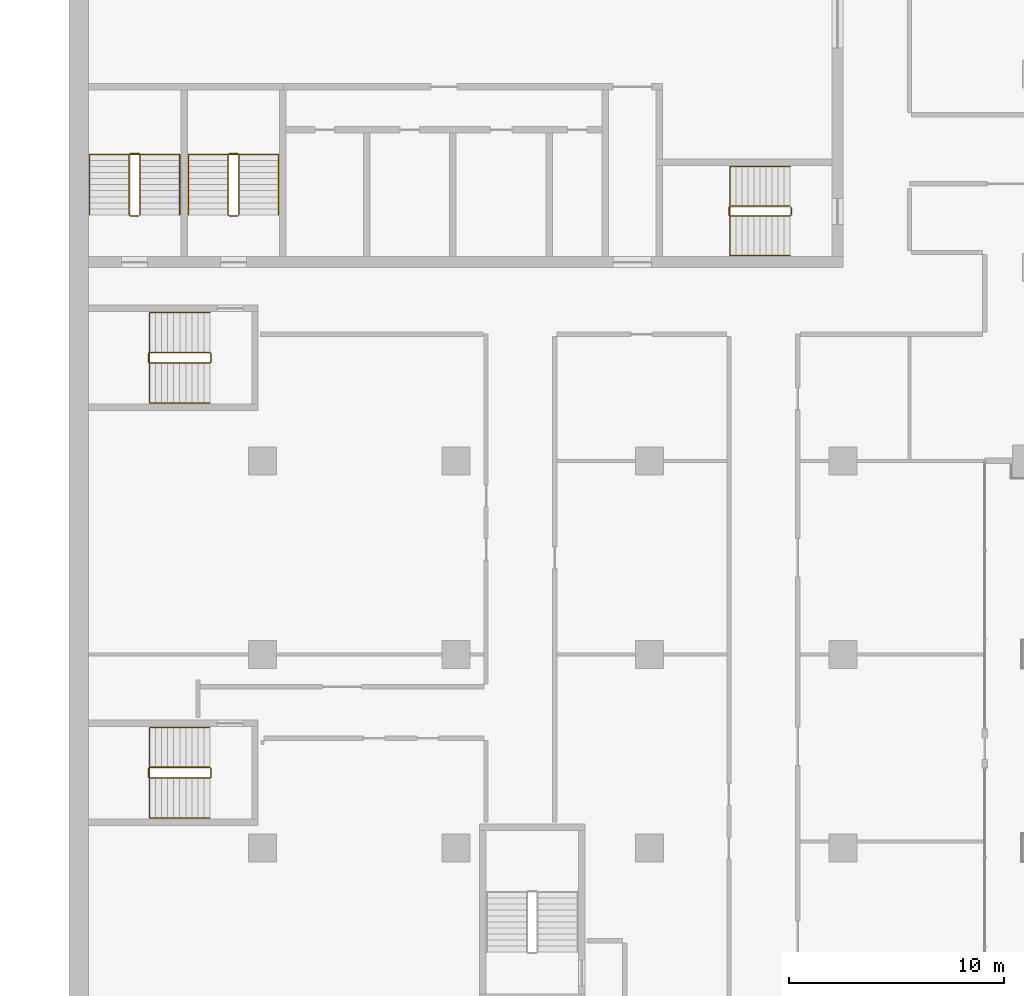
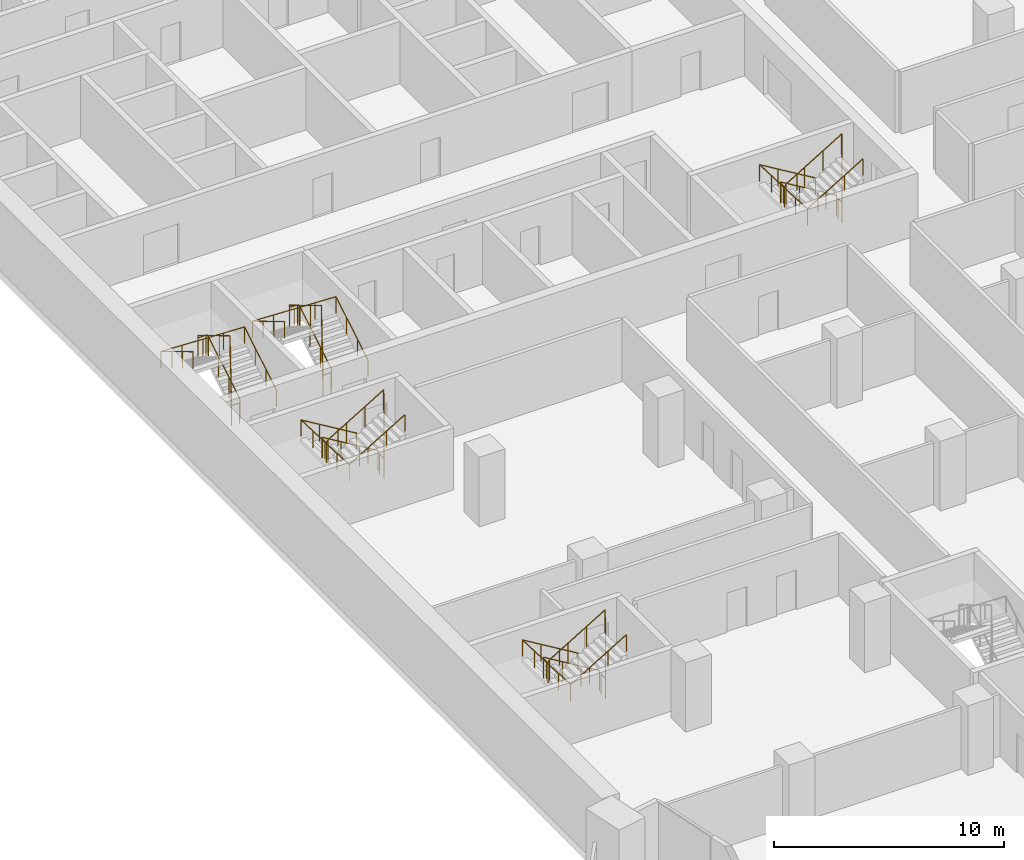
# One storey, part 20 of 22: 10 railings.
"""IFC4 building model written with IfcOpenShell, lengths in metres."""

from ifc_helpers import new_model, si_unit, direction, frame, origin, origin_2d, place, context, subcontext, project, spatial, circle, extrude, material, type_object, element, save


model = new_model("IFC4")

# Units and contexts
model_context = context("Model", 3, precision=1e-05, world=origin(), true_north=direction((0.0, 1.0)))
body_context = subcontext(model_context, "Body", "Model", "MODEL_VIEW")
ifc_project = project(units=[si_unit("LENGTHUNIT", "METRE"), si_unit("AREAUNIT", "SQUARE_METRE"), si_unit("VOLUMEUNIT", "CUBIC_METRE"), si_unit("PLANEANGLEUNIT", "RADIAN"), si_unit("MASSUNIT", "GRAM", prefix="KILO")], contexts=[model_context])

# Site, building, storey
site_placement = place(None, origin())
site = spatial("IfcSite", under=ifc_project, at=site_placement, CompositionType="ELEMENT")
building_placement = place(site_placement, origin())
building = spatial("IfcBuilding", under=site, at=building_placement, Name="Hunhe Ridgeline Campus", CompositionType="ELEMENT")
storey_placement = place(building_placement, frame((0.0, 0.0, 92.199951171875)))
storey = spatial("IfcBuildingStorey", under=building, at=storey_placement, Name="L22", CompositionType="ELEMENT", Elevation=92.199951171875)

# Railings
ifc_material_1 = material(Name="Stainless steel balustrade", Category="steel")
railing_type_1 = type_object("IfcRailingType", Name="Stair guard 1100 stainless", PredefinedType="GUARDRAIL", material=ifc_material_1)
railing_1_placement = place(storey_placement, frame((33.550048828125, 65.85009765625, 0.168212890625)))
element("IfcRailing", 1, at=railing_1_placement, inside=storey, type_object=railing_type_1, Name="L22 stair S2 guard", PredefinedType="GUARDRAIL", context=body_context, shape_type="SweptSolid", body=[
    extrude(circle(Radius=0.02392578125, at=origin_2d()), frame((0.0, 0.0, 1.076171875), z_axis=(-0.857242210791, 0.0, 0.514913383045), x_axis=(0.0, -1.0, 0.0)), (0.0, 0.0, 1.0), 3.266357421875),
    extrude(circle(Radius=0.02392578125, at=origin_2d()), frame((-2.800048828125, 0.0, 2.7578125), z_axis=(-0.707106781187, -0.707106781187, 0.0), x_axis=(0.707106781187, -0.707106781187, 0.0)), (0.0, 0.0, 1.0), 0.07080078125),
    extrude(circle(Radius=0.02392578125, at=origin_2d()), frame((-2.85009765625, -0.050048828125, 2.7578125), z_axis=(0.0, -1.0, 0.0), x_axis=(1.0, 0.0, 0.0)), (0.0, 0.0, 1.0), 0.35009765625),
    extrude(circle(Radius=0.02392578125, at=origin_2d()), frame((-2.85009765625, -0.400146484375, 2.7578125), z_axis=(0.274243871929, -0.274243871929, 0.92172696468), x_axis=(0.707106781187, 0.707106781187, 0.0)), (0.0, 0.0, 1.0), 0.1826171875),
    extrude(circle(Radius=0.02392578125, at=origin_2d()), frame((-2.800048828125, -0.4501953125, 2.92626953125), z_axis=(0.857275202839, 0.0, 0.514858452973), x_axis=(0.0, 1.0, 0.0)), (0.0, 0.0, 1.0), 3.26611328125),
    extrude(circle(Radius=0.02392578125, at=origin_2d()), frame((0.0, -0.4501953125, 4.60791015625), z_axis=(0.013524414389, 0.013524414389, -0.999817073484), x_axis=(-0.707106781187, 0.707106781187, 0.0)), (0.0, 0.0, 1.0), 3.70068359375),
    extrude(circle(Radius=0.02392578125, at=origin_2d()), frame((0.050048828125, -0.400146484375, 0.90771484375), z_axis=(0.0, 1.0, 0.0), x_axis=(-1.0, 0.0, 0.0)), (0.0, 0.0, 1.0), 0.35009765625),
    extrude(circle(Radius=0.02099609375, at=origin_2d()), origin(), (0.0, 0.0, 1.0), 1.052001953125),
    extrude(circle(Radius=0.02099609375, at=origin_2d()), frame((-0.933349609375, 0.0, 0.560546875)), (0.0, 0.0, 1.0), 1.052001953125),
    extrude(circle(Radius=0.02099609375, at=origin_2d()), frame((-1.86669921875, 0.0, 1.121337890625)), (0.0, 0.0, 1.0), 1.052001953125),
    extrude(circle(Radius=0.02099609375, at=origin_2d()), frame((-2.800048828125, 0.0, 1.681884765625)), (0.0, 0.0, 1.0), 1.052001953125),
    extrude(circle(Radius=0.02099609375, at=origin_2d()), frame((-2.85009765625, -0.050048828125, 1.681884765625)), (0.0, 0.0, 1.0), 1.052001953125),
    extrude(circle(Radius=0.02099609375, at=origin_2d()), frame((-2.85009765625, -0.400146484375, 1.681884765625)), (0.0, 0.0, 1.0), 1.052001953125),
    extrude(circle(Radius=0.02099609375, at=origin_2d()), frame((-2.800048828125, -0.4501953125, 1.85009765625)), (0.0, 0.0, 1.0), 1.052001953125),
    extrude(circle(Radius=0.02099609375, at=origin_2d()), frame((-1.86669921875, -0.4501953125, 2.41064453125)), (0.0, 0.0, 1.0), 1.052001953125),
    extrude(circle(Radius=0.02099609375, at=origin_2d()), frame((-0.933349609375, -0.4501953125, 2.97119140625)), (0.0, 0.0, 1.0), 1.052001953125),
    extrude(circle(Radius=0.02099609375, at=origin_2d()), frame((0.0, -0.4501953125, 3.53173828125)), (0.0, 0.0, 1.0), 1.052001953125),
    extrude(circle(Radius=0.02099609375, at=origin_2d()), frame((0.012451171875, -0.437744140625, 2.606689453125)), (0.0, 0.0, 1.0), 1.052001953125),
    extrude(circle(Radius=0.02099609375, at=origin_2d()), frame((0.02490234375, -0.42529296875, 1.681640625)), (0.0, 0.0, 1.0), 1.052001953125),
    extrude(circle(Radius=0.02099609375, at=origin_2d()), frame((0.03759765625, -0.41259765625, 0.7568359375)), (0.0, 0.0, 1.0), 1.052001953125),
    extrude(circle(Radius=0.02099609375, at=origin_2d()), frame((0.050048828125, -0.400146484375, -0.168212890625)), (0.0, 0.0, 1.0), 1.052001953125),
    extrude(circle(Radius=0.02099609375, at=origin_2d()), frame((0.050048828125, -0.050048828125, -0.168212890625)), (0.0, 0.0, 1.0), 1.052001953125),
])
railing_2_placement = place(storey_placement, frame((3.300048828125, 65.449951171875, 0.168212890625)))
element("IfcRailing", 2, at=railing_2_placement, inside=storey, type_object=railing_type_1, Name="L22 stair S3 guard", PredefinedType="GUARDRAIL", context=body_context, shape_type="SweptSolid", body=[
    extrude(circle(Radius=0.02392578125, at=origin_2d()), frame((0.0, 0.0, 1.076171875), z_axis=(0.0, 0.857242210791, 0.514913383045), x_axis=(-1.0, 0.0, 0.0)), (0.0, 0.0, 1.0), 3.266357421875),
    extrude(circle(Radius=0.02392578125, at=origin_2d()), frame((0.0, 2.800048828125, 2.7578125), z_axis=(-0.707106781187, 0.707106781187, 0.0), x_axis=(-0.707106781187, -0.707106781187, 0.0)), (0.0, 0.0, 1.0), 0.07080078125),
    extrude(circle(Radius=0.02392578125, at=origin_2d()), frame((-0.050048828125, 2.85009765625, 2.7578125), z_axis=(-1.0, 0.0, 0.0), x_axis=(0.0, -1.0, 0.0)), (0.0, 0.0, 1.0), 0.39990234375),
    extrude(circle(Radius=0.02392578125, at=origin_2d()), frame((-0.449951171875, 2.85009765625, 2.7578125), z_axis=(-0.274243871929, -0.274243871929, 0.92172696468), x_axis=(0.707106781187, -0.707106781187, 0.0)), (0.0, 0.0, 1.0), 0.1826171875),
    extrude(circle(Radius=0.02392578125, at=origin_2d()), frame((-0.5, 2.800048828125, 2.92626953125), z_axis=(0.0, -0.857275202839, 0.514858452973), x_axis=(1.0, 0.0, 0.0)), (0.0, 0.0, 1.0), 3.26611328125),
    extrude(circle(Radius=0.02392578125, at=origin_2d()), frame((-0.5, 0.0, 4.60791015625), z_axis=(0.013524414389, -0.013524414389, -0.999817073484), x_axis=(0.707106781187, 0.707106781187, 0.0)), (0.0, 0.0, 1.0), 3.70068359375),
    extrude(circle(Radius=0.02392578125, at=origin_2d()), frame((-0.449951171875, -0.050048828125, 0.90771484375), z_axis=(1.0, 0.0, 0.0), x_axis=(0.0, 1.0, 0.0)), (0.0, 0.0, 1.0), 0.39990234375),
    extrude(circle(Radius=0.02099609375, at=origin_2d()), origin(), (0.0, 0.0, 1.0), 1.052001953125),
    extrude(circle(Radius=0.02099609375, at=origin_2d()), frame((0.0, 0.933349609375, 0.560546875)), (0.0, 0.0, 1.0), 1.052001953125),
    extrude(circle(Radius=0.02099609375, at=origin_2d()), frame((0.0, 1.86669921875, 1.121337890625)), (0.0, 0.0, 1.0), 1.052001953125),
    extrude(circle(Radius=0.02099609375, at=origin_2d()), frame((0.0, 2.800048828125, 1.681884765625)), (0.0, 0.0, 1.0), 1.052001953125),
    extrude(circle(Radius=0.02099609375, at=origin_2d()), frame((-0.050048828125, 2.85009765625, 1.681884765625)), (0.0, 0.0, 1.0), 1.052001953125),
    extrude(circle(Radius=0.02099609375, at=origin_2d()), frame((-0.449951171875, 2.85009765625, 1.681884765625)), (0.0, 0.0, 1.0), 1.052001953125),
    extrude(circle(Radius=0.02099609375, at=origin_2d()), frame((-0.5, 2.800048828125, 1.85009765625)), (0.0, 0.0, 1.0), 1.052001953125),
    extrude(circle(Radius=0.02099609375, at=origin_2d()), frame((-0.5, 1.86669921875, 2.41064453125)), (0.0, 0.0, 1.0), 1.052001953125),
    extrude(circle(Radius=0.02099609375, at=origin_2d()), frame((-0.5, 0.933349609375, 2.97119140625)), (0.0, 0.0, 1.0), 1.052001953125),
    extrude(circle(Radius=0.02099609375, at=origin_2d()), frame((-0.5, 0.0, 3.53173828125)), (0.0, 0.0, 1.0), 1.052001953125),
    extrude(circle(Radius=0.02099609375, at=origin_2d()), frame((-0.487548828125, -0.012451171875, 2.606689453125)), (0.0, 0.0, 1.0), 1.052001953125),
    extrude(circle(Radius=0.02099609375, at=origin_2d()), frame((-0.47509765625, -0.02490234375, 1.681640625)), (0.0, 0.0, 1.0), 1.052001953125),
    extrude(circle(Radius=0.02099609375, at=origin_2d()), frame((-0.46240234375, -0.03759765625, 0.7568359375)), (0.0, 0.0, 1.0), 1.052001953125),
    extrude(circle(Radius=0.02099609375, at=origin_2d()), frame((-0.449951171875, -0.050048828125, -0.168212890625)), (0.0, 0.0, 1.0), 1.052001953125),
    extrude(circle(Radius=0.02099609375, at=origin_2d()), frame((-0.050048828125, -0.050048828125, -0.168212890625)), (0.0, 0.0, 1.0), 1.052001953125),
])
railing_3_placement = place(storey_placement, frame((7.89990234375, 65.449951171875, 0.168212890625)))
element("IfcRailing", 3, at=railing_3_placement, inside=storey, type_object=railing_type_1, Name="L22 stair S4 guard", PredefinedType="GUARDRAIL", context=body_context, shape_type="SweptSolid", body=[
    extrude(circle(Radius=0.02392578125, at=origin_2d()), frame((0.0, 0.0, 1.076171875), z_axis=(0.0, 0.857242210791, 0.514913383045), x_axis=(-1.0, 0.0, 0.0)), (0.0, 0.0, 1.0), 3.266357421875),
    extrude(circle(Radius=0.02392578125, at=origin_2d()), frame((0.0, 2.800048828125, 2.7578125), z_axis=(-0.705375805398, 0.708833529934, 0.0), x_axis=(-0.708833529934, -0.705375805398, 0.0)), (0.0, 0.0, 1.0), 0.070556640625),
    extrude(circle(Radius=0.02392578125, at=origin_2d()), frame((-0.0498046875, 2.85009765625, 2.7578125), z_axis=(-1.0, 0.0, 0.0), x_axis=(0.0, -1.0, 0.0)), (0.0, 0.0, 1.0), 0.400146484375),
    extrude(circle(Radius=0.02392578125, at=origin_2d()), frame((-0.449951171875, 2.85009765625, 2.7578125), z_axis=(-0.274243871929, -0.274243871929, 0.92172696468), x_axis=(0.707106781187, -0.707106781187, 0.0)), (0.0, 0.0, 1.0), 0.1826171875),
    extrude(circle(Radius=0.02392578125, at=origin_2d()), frame((-0.5, 2.800048828125, 2.92626953125), z_axis=(0.0, -0.857275202839, 0.514858452973), x_axis=(1.0, 0.0, 0.0)), (0.0, 0.0, 1.0), 3.26611328125),
    extrude(circle(Radius=0.02392578125, at=origin_2d()), frame((-0.5, 0.0, 4.60791015625), z_axis=(0.013524414389, -0.013524414389, -0.999817073484), x_axis=(0.707106781187, 0.707106781187, 0.0)), (0.0, 0.0, 1.0), 3.70068359375),
    extrude(circle(Radius=0.02392578125, at=origin_2d()), frame((-0.449951171875, -0.050048828125, 0.90771484375), z_axis=(1.0, 0.0, 0.0), x_axis=(0.0, 1.0, 0.0)), (0.0, 0.0, 1.0), 0.400146484375),
    extrude(circle(Radius=0.02099609375, at=origin_2d()), origin(), (0.0, 0.0, 1.0), 1.052001953125),
    extrude(circle(Radius=0.02099609375, at=origin_2d()), frame((0.0, 0.933349609375, 0.560546875)), (0.0, 0.0, 1.0), 1.052001953125),
    extrude(circle(Radius=0.02099609375, at=origin_2d()), frame((0.0, 1.86669921875, 1.121337890625)), (0.0, 0.0, 1.0), 1.052001953125),
    extrude(circle(Radius=0.02099609375, at=origin_2d()), frame((0.0, 2.800048828125, 1.681884765625)), (0.0, 0.0, 1.0), 1.052001953125),
    extrude(circle(Radius=0.02099609375, at=origin_2d()), frame((-0.0498046875, 2.85009765625, 1.681884765625)), (0.0, 0.0, 1.0), 1.052001953125),
    extrude(circle(Radius=0.02099609375, at=origin_2d()), frame((-0.449951171875, 2.85009765625, 1.681884765625)), (0.0, 0.0, 1.0), 1.052001953125),
    extrude(circle(Radius=0.02099609375, at=origin_2d()), frame((-0.5, 2.800048828125, 1.85009765625)), (0.0, 0.0, 1.0), 1.052001953125),
    extrude(circle(Radius=0.02099609375, at=origin_2d()), frame((-0.5, 1.86669921875, 2.41064453125)), (0.0, 0.0, 1.0), 1.052001953125),
    extrude(circle(Radius=0.02099609375, at=origin_2d()), frame((-0.5, 0.933349609375, 2.97119140625)), (0.0, 0.0, 1.0), 1.052001953125),
    extrude(circle(Radius=0.02099609375, at=origin_2d()), frame((-0.5, 0.0, 3.53173828125)), (0.0, 0.0, 1.0), 1.052001953125),
    extrude(circle(Radius=0.02099609375, at=origin_2d()), frame((-0.487548828125, -0.012451171875, 2.606689453125)), (0.0, 0.0, 1.0), 1.052001953125),
    extrude(circle(Radius=0.02099609375, at=origin_2d()), frame((-0.47509765625, -0.02490234375, 1.681640625)), (0.0, 0.0, 1.0), 1.052001953125),
    extrude(circle(Radius=0.02099609375, at=origin_2d()), frame((-0.46240234375, -0.03759765625, 0.7568359375)), (0.0, 0.0, 1.0), 1.052001953125),
    extrude(circle(Radius=0.02099609375, at=origin_2d()), frame((-0.449951171875, -0.050048828125, -0.168212890625)), (0.0, 0.0, 1.0), 1.052001953125),
    extrude(circle(Radius=0.02099609375, at=origin_2d()), frame((-0.0498046875, -0.050048828125, -0.168212890625)), (0.0, 0.0, 1.0), 1.052001953125),
])
railing_4_placement = place(storey_placement, frame((6.550048828125, 39.75, 0.168212890625)))
element("IfcRailing", 4, at=railing_4_placement, inside=storey, type_object=railing_type_1, Name="L22 stair W1 guard", PredefinedType="GUARDRAIL", context=body_context, shape_type="SweptSolid", body=[
    extrude(circle(Radius=0.02392578125, at=origin_2d()), frame((0.0, 0.0, 1.076171875), z_axis=(-0.857242210791, 0.0, 0.514913383045), x_axis=(0.0, -1.0, 0.0)), (0.0, 0.0, 1.0), 3.266357421875),
    extrude(circle(Radius=0.02392578125, at=origin_2d()), frame((-2.800048828125, 0.0, 2.7578125), z_axis=(-0.707106781187, -0.707106781187, 0.0), x_axis=(0.707106781187, -0.707106781187, 0.0)), (0.0, 0.0, 1.0), 0.07080078125),
    extrude(circle(Radius=0.02392578125, at=origin_2d()), frame((-2.85009765625, -0.050048828125, 2.7578125), z_axis=(0.0, -1.0, 0.0), x_axis=(1.0, 0.0, 0.0)), (0.0, 0.0, 1.0), 0.39990234375),
    extrude(circle(Radius=0.02392578125, at=origin_2d()), frame((-2.85009765625, -0.449951171875, 2.7578125), z_axis=(0.274243871929, -0.274243871929, 0.92172696468), x_axis=(0.707106781187, 0.707106781187, 0.0)), (0.0, 0.0, 1.0), 0.1826171875),
    extrude(circle(Radius=0.02392578125, at=origin_2d()), frame((-2.800048828125, -0.5, 2.92626953125), z_axis=(0.857275202839, 0.0, 0.514858452973), x_axis=(0.0, 1.0, 0.0)), (0.0, 0.0, 1.0), 3.26611328125),
    extrude(circle(Radius=0.02392578125, at=origin_2d()), frame((0.0, -0.5, 4.60791015625), z_axis=(0.013524414389, 0.013524414389, -0.999817073484), x_axis=(-0.707106781187, 0.707106781187, 0.0)), (0.0, 0.0, 1.0), 3.70068359375),
    extrude(circle(Radius=0.02392578125, at=origin_2d()), frame((0.050048828125, -0.449951171875, 0.90771484375), z_axis=(0.0, 1.0, 0.0), x_axis=(-1.0, 0.0, 0.0)), (0.0, 0.0, 1.0), 0.39990234375),
    extrude(circle(Radius=0.02099609375, at=origin_2d()), origin(), (0.0, 0.0, 1.0), 1.052001953125),
    extrude(circle(Radius=0.02099609375, at=origin_2d()), frame((-0.933349609375, 0.0, 0.560546875)), (0.0, 0.0, 1.0), 1.052001953125),
    extrude(circle(Radius=0.02099609375, at=origin_2d()), frame((-1.86669921875, 0.0, 1.121337890625)), (0.0, 0.0, 1.0), 1.052001953125),
    extrude(circle(Radius=0.02099609375, at=origin_2d()), frame((-2.800048828125, 0.0, 1.681884765625)), (0.0, 0.0, 1.0), 1.052001953125),
    extrude(circle(Radius=0.02099609375, at=origin_2d()), frame((-2.85009765625, -0.050048828125, 1.681884765625)), (0.0, 0.0, 1.0), 1.052001953125),
    extrude(circle(Radius=0.02099609375, at=origin_2d()), frame((-2.85009765625, -0.449951171875, 1.681884765625)), (0.0, 0.0, 1.0), 1.052001953125),
    extrude(circle(Radius=0.02099609375, at=origin_2d()), frame((-2.800048828125, -0.5, 1.85009765625)), (0.0, 0.0, 1.0), 1.052001953125),
    extrude(circle(Radius=0.02099609375, at=origin_2d()), frame((-1.86669921875, -0.5, 2.41064453125)), (0.0, 0.0, 1.0), 1.052001953125),
    extrude(circle(Radius=0.02099609375, at=origin_2d()), frame((-0.933349609375, -0.5, 2.97119140625)), (0.0, 0.0, 1.0), 1.052001953125),
    extrude(circle(Radius=0.02099609375, at=origin_2d()), frame((0.0, -0.5, 3.53173828125)), (0.0, 0.0, 1.0), 1.052001953125),
    extrude(circle(Radius=0.02099609375, at=origin_2d()), frame((0.012451171875, -0.487548828125, 2.606689453125)), (0.0, 0.0, 1.0), 1.052001953125),
    extrude(circle(Radius=0.02099609375, at=origin_2d()), frame((0.02490234375, -0.47509765625, 1.681640625)), (0.0, 0.0, 1.0), 1.052001953125),
    extrude(circle(Radius=0.02099609375, at=origin_2d()), frame((0.03759765625, -0.46240234375, 0.7568359375)), (0.0, 0.0, 1.0), 1.052001953125),
    extrude(circle(Radius=0.02099609375, at=origin_2d()), frame((0.050048828125, -0.449951171875, -0.168212890625)), (0.0, 0.0, 1.0), 1.052001953125),
    extrude(circle(Radius=0.02099609375, at=origin_2d()), frame((0.050048828125, -0.050048828125, -0.168212890625)), (0.0, 0.0, 1.0), 1.052001953125),
])
railing_5_placement = place(storey_placement, frame((6.550048828125, 59.050048828125, 0.168212890625)))
element("IfcRailing", 5, at=railing_5_placement, inside=storey, type_object=railing_type_1, Name="L22 stair W2 guard", PredefinedType="GUARDRAIL", context=body_context, shape_type="SweptSolid", body=[
    extrude(circle(Radius=0.02392578125, at=origin_2d()), frame((0.0, 0.0, 1.076171875), z_axis=(-0.857242210791, 0.0, 0.514913383045), x_axis=(0.0, -1.0, 0.0)), (0.0, 0.0, 1.0), 3.266357421875),
    extrude(circle(Radius=0.02392578125, at=origin_2d()), frame((-2.800048828125, 0.0, 2.7578125), z_axis=(-0.707106781187, -0.707106781187, 0.0), x_axis=(0.707106781187, -0.707106781187, 0.0)), (0.0, 0.0, 1.0), 0.07080078125),
    extrude(circle(Radius=0.02392578125, at=origin_2d()), frame((-2.85009765625, -0.050048828125, 2.7578125), z_axis=(0.0, -1.0, 0.0), x_axis=(1.0, 0.0, 0.0)), (0.0, 0.0, 1.0), 0.39990234375),
    extrude(circle(Radius=0.02392578125, at=origin_2d()), frame((-2.85009765625, -0.449951171875, 2.7578125), z_axis=(0.274243871929, -0.274243871929, 0.92172696468), x_axis=(0.707106781187, 0.707106781187, 0.0)), (0.0, 0.0, 1.0), 0.1826171875),
    extrude(circle(Radius=0.02392578125, at=origin_2d()), frame((-2.800048828125, -0.5, 2.92626953125), z_axis=(0.857275202839, 0.0, 0.514858452973), x_axis=(0.0, 1.0, 0.0)), (0.0, 0.0, 1.0), 3.26611328125),
    extrude(circle(Radius=0.02392578125, at=origin_2d()), frame((0.0, -0.5, 4.60791015625), z_axis=(0.013524414389, 0.013524414389, -0.999817073484), x_axis=(-0.707106781187, 0.707106781187, 0.0)), (0.0, 0.0, 1.0), 3.70068359375),
    extrude(circle(Radius=0.02392578125, at=origin_2d()), frame((0.050048828125, -0.449951171875, 0.90771484375), z_axis=(0.0, 1.0, 0.0), x_axis=(-1.0, 0.0, 0.0)), (0.0, 0.0, 1.0), 0.39990234375),
    extrude(circle(Radius=0.02099609375, at=origin_2d()), origin(), (0.0, 0.0, 1.0), 1.052001953125),
    extrude(circle(Radius=0.02099609375, at=origin_2d()), frame((-0.933349609375, 0.0, 0.560546875)), (0.0, 0.0, 1.0), 1.052001953125),
    extrude(circle(Radius=0.02099609375, at=origin_2d()), frame((-1.86669921875, 0.0, 1.121337890625)), (0.0, 0.0, 1.0), 1.052001953125),
    extrude(circle(Radius=0.02099609375, at=origin_2d()), frame((-2.800048828125, 0.0, 1.681884765625)), (0.0, 0.0, 1.0), 1.052001953125),
    extrude(circle(Radius=0.02099609375, at=origin_2d()), frame((-2.85009765625, -0.050048828125, 1.681884765625)), (0.0, 0.0, 1.0), 1.052001953125),
    extrude(circle(Radius=0.02099609375, at=origin_2d()), frame((-2.85009765625, -0.449951171875, 1.681884765625)), (0.0, 0.0, 1.0), 1.052001953125),
    extrude(circle(Radius=0.02099609375, at=origin_2d()), frame((-2.800048828125, -0.5, 1.85009765625)), (0.0, 0.0, 1.0), 1.052001953125),
    extrude(circle(Radius=0.02099609375, at=origin_2d()), frame((-1.86669921875, -0.5, 2.41064453125)), (0.0, 0.0, 1.0), 1.052001953125),
    extrude(circle(Radius=0.02099609375, at=origin_2d()), frame((-0.933349609375, -0.5, 2.97119140625)), (0.0, 0.0, 1.0), 1.052001953125),
    extrude(circle(Radius=0.02099609375, at=origin_2d()), frame((0.0, -0.5, 3.53173828125)), (0.0, 0.0, 1.0), 1.052001953125),
    extrude(circle(Radius=0.02099609375, at=origin_2d()), frame((0.012451171875, -0.487548828125, 2.606689453125)), (0.0, 0.0, 1.0), 1.052001953125),
    extrude(circle(Radius=0.02099609375, at=origin_2d()), frame((0.02490234375, -0.47509765625, 1.681640625)), (0.0, 0.0, 1.0), 1.052001953125),
    extrude(circle(Radius=0.02099609375, at=origin_2d()), frame((0.03759765625, -0.46240234375, 0.7568359375)), (0.0, 0.0, 1.0), 1.052001953125),
    extrude(circle(Radius=0.02099609375, at=origin_2d()), frame((0.050048828125, -0.449951171875, -0.168212890625)), (0.0, 0.0, 1.0), 1.052001953125),
    extrude(circle(Radius=0.02099609375, at=origin_2d()), frame((0.050048828125, -0.050048828125, -0.168212890625)), (0.0, 0.0, 1.0), 1.052001953125),
])
ifc_material_2 = material(Name="Stainless steel handrail", Category="steel")
railing_type_2 = type_object("IfcRailingType", Name="Stair handrail 900 stainless", PredefinedType="HANDRAIL", material=ifc_material_2)
railing_6_placement = place(storey_placement, frame((33.550048828125, 67.699951171875, 0.168212890625)))
element("IfcRailing", 6, at=railing_6_placement, inside=storey, type_object=railing_type_2, Name="L22 stair S2 handrail", PredefinedType="HANDRAIL", context=body_context, shape_type="SweptSolid", body=[
    extrude(circle(Radius=0.02392578125, at=origin_2d()), frame((0.0, 0.0, 0.8759765625), z_axis=(-0.857242210791, 0.0, 0.514913383045), x_axis=(0.0, -1.0, 0.0)), (0.0, 0.0, 1.0), 3.266357421875),
    extrude(circle(Radius=0.02392578125, at=origin_2d()), frame((-2.800048828125, 0.0, 2.5576171875), z_axis=(0.0, -0.99917950104, 0.040500922239), x_axis=(1.0, 0.0, 0.0)), (0.0, 0.0, 1.0), 4.1533203125),
    extrude(circle(Radius=0.02392578125, at=origin_2d()), frame((-2.800048828125, -4.14990234375, 2.72607421875), z_axis=(0.857275202839, 0.0, 0.514858452973), x_axis=(0.0, 1.0, 0.0)), (0.0, 0.0, 1.0), 3.26611328125),
    extrude(circle(Radius=0.02099609375, at=origin_2d()), origin(), (0.0, 0.0, 1.0), 0.851806640625),
    extrude(circle(Radius=0.02099609375, at=origin_2d()), frame((-0.933349609375, 0.0, 0.560546875)), (0.0, 0.0, 1.0), 0.851806640625),
    extrude(circle(Radius=0.02099609375, at=origin_2d()), frame((-1.86669921875, 0.0, 1.121337890625)), (0.0, 0.0, 1.0), 0.851806640625),
    extrude(circle(Radius=0.02099609375, at=origin_2d()), frame((-2.800048828125, 0.0, 1.681884765625)), (0.0, 0.0, 1.0), 0.851806640625),
    extrude(circle(Radius=0.02099609375, at=origin_2d()), frame((-2.800048828125, -1.03759765625, 1.723876953125)), (0.0, 0.0, 1.0), 0.851806640625),
    extrude(circle(Radius=0.02099609375, at=origin_2d()), frame((-2.800048828125, -2.074951171875, 1.76611328125)), (0.0, 0.0, 1.0), 0.851806640625),
    extrude(circle(Radius=0.02099609375, at=origin_2d()), frame((-2.800048828125, -3.1123046875, 1.80810546875)), (0.0, 0.0, 1.0), 0.851806640625),
    extrude(circle(Radius=0.02099609375, at=origin_2d()), frame((-2.800048828125, -4.14990234375, 1.85009765625)), (0.0, 0.0, 1.0), 0.851806640625),
    extrude(circle(Radius=0.02099609375, at=origin_2d()), frame((-1.86669921875, -4.14990234375, 2.41064453125)), (0.0, 0.0, 1.0), 0.851806640625),
    extrude(circle(Radius=0.02099609375, at=origin_2d()), frame((-0.933349609375, -4.14990234375, 2.97119140625)), (0.0, 0.0, 1.0), 0.851806640625),
    extrude(circle(Radius=0.02099609375, at=origin_2d()), frame((0.0, -4.14990234375, 3.53173828125)), (0.0, 0.0, 1.0), 0.851806640625),
])
railing_7_placement = place(storey_placement, frame((5.14990234375, 65.449951171875, 0.168212890625)))
element("IfcRailing", 7, at=railing_7_placement, inside=storey, type_object=railing_type_2, Name="L22 stair S3 handrail", PredefinedType="HANDRAIL", context=body_context, shape_type="SweptSolid", body=[
    extrude(circle(Radius=0.02392578125, at=origin_2d()), frame((0.0, 0.0, 0.8759765625), z_axis=(0.0, 0.857242210791, 0.514913383045), x_axis=(-1.0, 0.0, 0.0)), (0.0, 0.0, 1.0), 3.266357421875),
    extrude(circle(Radius=0.02392578125, at=origin_2d()), frame((0.0, 2.800048828125, 2.5576171875), z_axis=(-0.999198916169, 0.0, 0.040019069537), x_axis=(0.0, -1.0, 0.0)), (0.0, 0.0, 1.0), 4.203369140625),
    extrude(circle(Radius=0.02392578125, at=origin_2d()), frame((-4.199951171875, 2.800048828125, 2.72607421875), z_axis=(0.0, -0.857275202839, 0.514858452973), x_axis=(1.0, 0.0, 0.0)), (0.0, 0.0, 1.0), 3.26611328125),
    extrude(circle(Radius=0.02099609375, at=origin_2d()), origin(), (0.0, 0.0, 1.0), 0.851806640625),
    extrude(circle(Radius=0.02099609375, at=origin_2d()), frame((0.0, 0.933349609375, 0.560546875)), (0.0, 0.0, 1.0), 0.851806640625),
    extrude(circle(Radius=0.02099609375, at=origin_2d()), frame((0.0, 1.86669921875, 1.121337890625)), (0.0, 0.0, 1.0), 0.851806640625),
    extrude(circle(Radius=0.02099609375, at=origin_2d()), frame((0.0, 2.800048828125, 1.681884765625)), (0.0, 0.0, 1.0), 0.851806640625),
    extrude(circle(Radius=0.02099609375, at=origin_2d()), frame((-1.050048828125, 2.800048828125, 1.723876953125)), (0.0, 0.0, 1.0), 0.851806640625),
    extrude(circle(Radius=0.02099609375, at=origin_2d()), frame((-2.10009765625, 2.800048828125, 1.76611328125)), (0.0, 0.0, 1.0), 0.851806640625),
    extrude(circle(Radius=0.02099609375, at=origin_2d()), frame((-3.14990234375, 2.800048828125, 1.80810546875)), (0.0, 0.0, 1.0), 0.851806640625),
    extrude(circle(Radius=0.02099609375, at=origin_2d()), frame((-4.199951171875, 2.800048828125, 1.85009765625)), (0.0, 0.0, 1.0), 0.851806640625),
    extrude(circle(Radius=0.02099609375, at=origin_2d()), frame((-4.199951171875, 1.86669921875, 2.41064453125)), (0.0, 0.0, 1.0), 0.851806640625),
    extrude(circle(Radius=0.02099609375, at=origin_2d()), frame((-4.199951171875, 0.933349609375, 2.97119140625)), (0.0, 0.0, 1.0), 0.851806640625),
    extrude(circle(Radius=0.02099609375, at=origin_2d()), frame((-4.199951171875, 0.0, 3.53173828125)), (0.0, 0.0, 1.0), 0.851806640625),
])
railing_8_placement = place(storey_placement, frame((9.75, 65.449951171875, 0.168212890625)))
element("IfcRailing", 8, at=railing_8_placement, inside=storey, type_object=railing_type_2, Name="L22 stair S4 handrail", PredefinedType="HANDRAIL", context=body_context, shape_type="SweptSolid", body=[
    extrude(circle(Radius=0.02392578125, at=origin_2d()), frame((0.0, 0.0, 0.8759765625), z_axis=(0.0, 0.857242210791, 0.514913383045), x_axis=(-1.0, 0.0, 0.0)), (0.0, 0.0, 1.0), 3.266357421875),
    extrude(circle(Radius=0.02392578125, at=origin_2d()), frame((0.0, 2.800048828125, 2.5576171875), z_axis=(-0.999198916169, 0.0, 0.040019069537), x_axis=(0.0, -1.0, 0.0)), (0.0, 0.0, 1.0), 4.203369140625),
    extrude(circle(Radius=0.02392578125, at=origin_2d()), frame((-4.199951171875, 2.800048828125, 2.72607421875), z_axis=(0.0, -0.857275202839, 0.514858452973), x_axis=(1.0, 0.0, 0.0)), (0.0, 0.0, 1.0), 3.26611328125),
    extrude(circle(Radius=0.02099609375, at=origin_2d()), origin(), (0.0, 0.0, 1.0), 0.851806640625),
    extrude(circle(Radius=0.02099609375, at=origin_2d()), frame((0.0, 0.933349609375, 0.560546875)), (0.0, 0.0, 1.0), 0.851806640625),
    extrude(circle(Radius=0.02099609375, at=origin_2d()), frame((0.0, 1.86669921875, 1.121337890625)), (0.0, 0.0, 1.0), 0.851806640625),
    extrude(circle(Radius=0.02099609375, at=origin_2d()), frame((0.0, 2.800048828125, 1.681884765625)), (0.0, 0.0, 1.0), 0.851806640625),
    extrude(circle(Radius=0.02099609375, at=origin_2d()), frame((-1.050048828125, 2.800048828125, 1.723876953125)), (0.0, 0.0, 1.0), 0.851806640625),
    extrude(circle(Radius=0.02099609375, at=origin_2d()), frame((-2.10009765625, 2.800048828125, 1.76611328125)), (0.0, 0.0, 1.0), 0.851806640625),
    extrude(circle(Radius=0.02099609375, at=origin_2d()), frame((-3.14990234375, 2.800048828125, 1.80810546875)), (0.0, 0.0, 1.0), 0.851806640625),
    extrude(circle(Radius=0.02099609375, at=origin_2d()), frame((-4.199951171875, 2.800048828125, 1.85009765625)), (0.0, 0.0, 1.0), 0.851806640625),
    extrude(circle(Radius=0.02099609375, at=origin_2d()), frame((-4.199951171875, 1.86669921875, 2.41064453125)), (0.0, 0.0, 1.0), 0.851806640625),
    extrude(circle(Radius=0.02099609375, at=origin_2d()), frame((-4.199951171875, 0.933349609375, 2.97119140625)), (0.0, 0.0, 1.0), 0.851806640625),
    extrude(circle(Radius=0.02099609375, at=origin_2d()), frame((-4.199951171875, 0.0, 3.53173828125)), (0.0, 0.0, 1.0), 0.851806640625),
])
railing_9_placement = place(storey_placement, frame((6.550048828125, 41.60009765625, 0.168212890625)))
element("IfcRailing", 9, at=railing_9_placement, inside=storey, type_object=railing_type_2, Name="L22 stair W1 handrail", PredefinedType="HANDRAIL", context=body_context, shape_type="SweptSolid", body=[
    extrude(circle(Radius=0.02392578125, at=origin_2d()), frame((0.0, 0.0, 0.8759765625), z_axis=(-0.857242210791, 0.0, 0.514913383045), x_axis=(0.0, -1.0, 0.0)), (0.0, 0.0, 1.0), 3.266357421875),
    extrude(circle(Radius=0.02392578125, at=origin_2d()), frame((-2.800048828125, 0.0, 2.5576171875), z_axis=(0.0, -0.999199009182, 0.040016747113), x_axis=(1.0, 0.0, 0.0)), (0.0, 0.0, 1.0), 4.20361328125),
    extrude(circle(Radius=0.02392578125, at=origin_2d()), frame((-2.800048828125, -4.2001953125, 2.72607421875), z_axis=(0.857275202839, 0.0, 0.514858452973), x_axis=(0.0, 1.0, 0.0)), (0.0, 0.0, 1.0), 3.26611328125),
    extrude(circle(Radius=0.02099609375, at=origin_2d()), origin(), (0.0, 0.0, 1.0), 0.851806640625),
    extrude(circle(Radius=0.02099609375, at=origin_2d()), frame((-0.933349609375, 0.0, 0.560546875)), (0.0, 0.0, 1.0), 0.851806640625),
    extrude(circle(Radius=0.02099609375, at=origin_2d()), frame((-1.86669921875, 0.0, 1.121337890625)), (0.0, 0.0, 1.0), 0.851806640625),
    extrude(circle(Radius=0.02099609375, at=origin_2d()), frame((-2.800048828125, 0.0, 1.681884765625)), (0.0, 0.0, 1.0), 0.851806640625),
    extrude(circle(Radius=0.02099609375, at=origin_2d()), frame((-2.800048828125, -1.050048828125, 1.723876953125)), (0.0, 0.0, 1.0), 0.851806640625),
    extrude(circle(Radius=0.02099609375, at=origin_2d()), frame((-2.800048828125, -2.10009765625, 1.76611328125)), (0.0, 0.0, 1.0), 0.851806640625),
    extrude(circle(Radius=0.02099609375, at=origin_2d()), frame((-2.800048828125, -3.150146484375, 1.80810546875)), (0.0, 0.0, 1.0), 0.851806640625),
    extrude(circle(Radius=0.02099609375, at=origin_2d()), frame((-2.800048828125, -4.2001953125, 1.85009765625)), (0.0, 0.0, 1.0), 0.851806640625),
    extrude(circle(Radius=0.02099609375, at=origin_2d()), frame((-1.86669921875, -4.2001953125, 2.41064453125)), (0.0, 0.0, 1.0), 0.851806640625),
    extrude(circle(Radius=0.02099609375, at=origin_2d()), frame((-0.933349609375, -4.2001953125, 2.97119140625)), (0.0, 0.0, 1.0), 0.851806640625),
    extrude(circle(Radius=0.02099609375, at=origin_2d()), frame((0.0, -4.2001953125, 3.53173828125)), (0.0, 0.0, 1.0), 0.851806640625),
])
railing_10_placement = place(storey_placement, frame((6.550048828125, 60.89990234375, 0.168212890625)))
element("IfcRailing", 10, at=railing_10_placement, inside=storey, type_object=railing_type_2, Name="L22 stair W2 handrail", PredefinedType="HANDRAIL", context=body_context, shape_type="SweptSolid", body=[
    extrude(circle(Radius=0.02392578125, at=origin_2d()), frame((0.0, 0.0, 0.8759765625), z_axis=(-0.857242210791, 0.0, 0.514913383045), x_axis=(0.0, -1.0, 0.0)), (0.0, 0.0, 1.0), 3.266357421875),
    extrude(circle(Radius=0.02392578125, at=origin_2d()), frame((-2.800048828125, 0.0, 2.5576171875), z_axis=(0.0, -0.999198916169, 0.040019069537), x_axis=(1.0, 0.0, 0.0)), (0.0, 0.0, 1.0), 4.203369140625),
    extrude(circle(Radius=0.02392578125, at=origin_2d()), frame((-2.800048828125, -4.199951171875, 2.72607421875), z_axis=(0.857275202839, 0.0, 0.514858452973), x_axis=(0.0, 1.0, 0.0)), (0.0, 0.0, 1.0), 3.26611328125),
    extrude(circle(Radius=0.02099609375, at=origin_2d()), origin(), (0.0, 0.0, 1.0), 0.851806640625),
    extrude(circle(Radius=0.02099609375, at=origin_2d()), frame((-0.933349609375, 0.0, 0.560546875)), (0.0, 0.0, 1.0), 0.851806640625),
    extrude(circle(Radius=0.02099609375, at=origin_2d()), frame((-1.86669921875, 0.0, 1.121337890625)), (0.0, 0.0, 1.0), 0.851806640625),
    extrude(circle(Radius=0.02099609375, at=origin_2d()), frame((-2.800048828125, 0.0, 1.681884765625)), (0.0, 0.0, 1.0), 0.851806640625),
    extrude(circle(Radius=0.02099609375, at=origin_2d()), frame((-2.800048828125, -1.050048828125, 1.723876953125)), (0.0, 0.0, 1.0), 0.851806640625),
    extrude(circle(Radius=0.02099609375, at=origin_2d()), frame((-2.800048828125, -2.10009765625, 1.76611328125)), (0.0, 0.0, 1.0), 0.851806640625),
    extrude(circle(Radius=0.02099609375, at=origin_2d()), frame((-2.800048828125, -3.14990234375, 1.80810546875)), (0.0, 0.0, 1.0), 0.851806640625),
    extrude(circle(Radius=0.02099609375, at=origin_2d()), frame((-2.800048828125, -4.199951171875, 1.85009765625)), (0.0, 0.0, 1.0), 0.851806640625),
    extrude(circle(Radius=0.02099609375, at=origin_2d()), frame((-1.86669921875, -4.199951171875, 2.41064453125)), (0.0, 0.0, 1.0), 0.851806640625),
    extrude(circle(Radius=0.02099609375, at=origin_2d()), frame((-0.933349609375, -4.199951171875, 2.97119140625)), (0.0, 0.0, 1.0), 0.851806640625),
    extrude(circle(Radius=0.02099609375, at=origin_2d()), frame((0.0, -4.199951171875, 3.53173828125)), (0.0, 0.0, 1.0), 0.851806640625),
])

save(model, "model.ifc")
